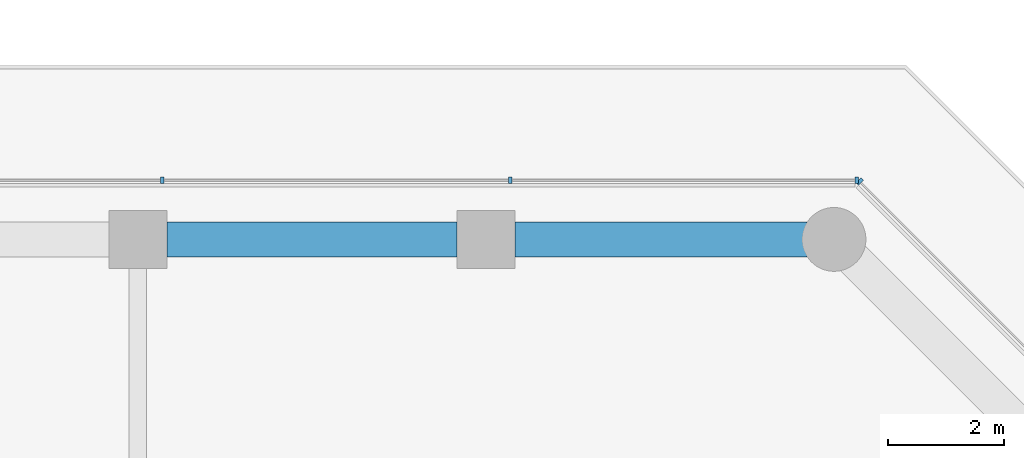
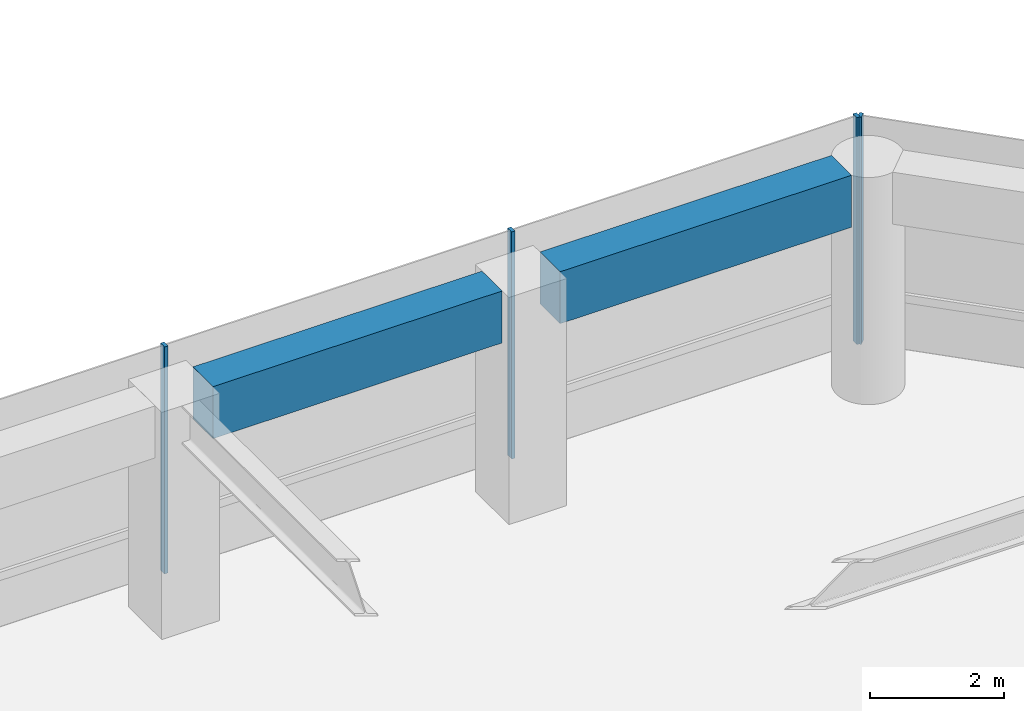
# One storey, part 10 of 24: 4 members, 2 beams, 2 elements without a shape of their own.
"""IFC4 building model written with IfcOpenShell, lengths in metres."""

from ifc_helpers import new_model, si_unit, direction, frame, origin, origin_2d, place, context, subcontext, project, spatial, rectangle, extrude, material, layer, layer_set, material_profile, profile_set, type_object, element, aggregate, save


model = new_model("IFC4")

# Units and contexts
model_context = context("Model", 3, precision=1e-05, world=origin(), true_north=direction((0.0, 1.0)))
body_context = subcontext(model_context, "Body", "Model", "MODEL_VIEW")
ifc_project = project(units=[si_unit("LENGTHUNIT", "METRE"), si_unit("AREAUNIT", "SQUARE_METRE"), si_unit("VOLUMEUNIT", "CUBIC_METRE"), si_unit("PLANEANGLEUNIT", "RADIAN"), si_unit("MASSUNIT", "GRAM", prefix="KILO")], contexts=[model_context])

# Site, building, storey
site_placement = place(None, origin())
site = spatial("IfcSite", under=ifc_project, at=site_placement, CompositionType="ELEMENT")
building_placement = place(site_placement, origin())
building = spatial("IfcBuilding", under=site, at=building_placement, Name="Welwitschia Terrace Campus", CompositionType="ELEMENT")
storey_placement = place(building_placement, frame((0.0, 0.0, 15.5)))
storey = spatial("IfcBuildingStorey", under=building, at=storey_placement, Name="L03", CompositionType="ELEMENT", Elevation=15.5)

# Curtain wall, member
ifc_material_1 = material(Name="Bronze anodised aluminium", Category="aluminium")
ifc_layer = layer(ifc_material_1, 0.1201171875)
ifc_layer_set = layer_set([ifc_layer], Name="Bronze anodised aluminium")
curtain_wall_type = type_object("IfcCurtainWallType", Name="Curtain wall CW2 tower 6000", PredefinedType="NOTDEFINED", material=ifc_layer_set)
curtain_wall_1_placement = place(storey_placement, origin())
curtain_wall_1 = element("IfcCurtainWall", 1, at=curtain_wall_1_placement, inside=storey, type_object=curtain_wall_type, Name="CW L03.4.0", PredefinedType="NOTDEFINED")
ifc_material_2 = material(Name="Bronze anodised aluminium", Category="aluminium")
ifc_material_profile_1 = material_profile(ifc_material_2, rectangle(XDim=0.1201171875, YDim=0.06005859375, at=origin_2d()))
ifc_profile_set_1 = profile_set([ifc_material_profile_1], Name="Bronze anodised aluminium")
member_type = type_object("IfcMemberType", Name="Mullion 60x120", PredefinedType="MULLION", material=ifc_profile_set_1)
member_1_placement = place(storey_placement, frame((60.443603515625, 20.998779296875, 0.0), z_axis=(0.0, 0.0, 1.0), x_axis=(-0.707106781187, -0.707106781187, 0.0)))
member_1 = element("IfcMember", 2, at=member_1_placement, type_object=member_type, Name="Mullion L03.4.0.2", PredefinedType="MULLION", context=body_context, shape_type="SweptSolid", body=[
    extrude(rectangle(XDim=0.1201171875, YDim=0.06005859375, at=origin_2d()), origin(), (0.0, 0.0, 1.0), 4.14990234375),
])
aggregate(curtain_wall_1, [member_1])

# Curtain wall, members
curtain_wall_2_placement = place(storey_placement, origin())
curtain_wall_2 = element("IfcCurtainWall", 3, at=curtain_wall_2_placement, inside=storey, type_object=curtain_wall_type, Name="CW L03.5.0", PredefinedType="NOTDEFINED")
member_2_placement = place(storey_placement, frame((60.392578125, 21.02001953125, 0.0), z_axis=(0.0, 0.0, 1.0), x_axis=(0.0, -1.0, 0.0)))
member_2 = element("IfcMember", 4, at=member_2_placement, type_object=member_type, Name="Mullion L03.5.0.0", PredefinedType="MULLION", context=body_context, shape_type="SweptSolid", body=[
    extrude(rectangle(XDim=0.1201171875, YDim=0.06005859375, at=origin_2d()), origin(), (0.0, 0.0, 1.0), 4.14990234375),
])
member_3_placement = place(storey_placement, frame((54.422607421875, 21.02001953125, 0.0), z_axis=(0.0, 0.0, 1.0), x_axis=(0.0, -1.0, 0.0)))
member_3 = element("IfcMember", 5, at=member_3_placement, type_object=member_type, Name="Mullion L03.5.0.1", PredefinedType="MULLION", context=body_context, shape_type="SweptSolid", body=[
    extrude(rectangle(XDim=0.1201171875, YDim=0.06005859375, at=origin_2d()), origin(), (0.0, 0.0, 1.0), 4.14990234375),
])
member_4_placement = place(storey_placement, frame((48.422607421875, 21.02001953125, 0.0), z_axis=(0.0, 0.0, 1.0), x_axis=(0.0, -1.0, 0.0)))
member_4 = element("IfcMember", 6, at=member_4_placement, type_object=member_type, Name="Mullion L03.5.0.2", PredefinedType="MULLION", context=body_context, shape_type="SweptSolid", body=[
    extrude(rectangle(XDim=0.1201171875, YDim=0.06005859375, at=origin_2d()), origin(), (0.0, 0.0, 1.0), 4.14990234375),
])
aggregate(curtain_wall_2, [member_2, member_3, member_4])

# Beams
ifc_material_3 = material(Name="Concrete C60/75", Category="concrete")
ifc_material_profile_2 = material_profile(ifc_material_3, rectangle(XDim=0.60009765625, YDim=0.949951171875, at=origin_2d()))
ifc_profile_set_2 = profile_set([ifc_material_profile_2], Name="Concrete C60/75")
beam_type = type_object("IfcBeamType", Name="Ring spandrel 600x950", PredefinedType="SPANDREL", material=ifc_profile_set_2)
beam_1_placement = place(storey_placement, frame((59.53857421875, 20.0, 3.675048828125), z_axis=(-1.0, 0.0, 0.0), x_axis=(0.0, -1.0, 0.0)))
element("IfcBeam", 7, at=beam_1_placement, inside=storey, type_object=beam_type, Name="Spandrel SP1", PredefinedType="SPANDREL", context=body_context, shape_type="SweptSolid", body=[
    extrude(rectangle(XDim=0.60009765625, YDim=0.949951171875, at=origin_2d()), origin(), (0.0, 0.0, 1.0), 5.0380859375),
])
beam_2_placement = place(storey_placement, frame((53.49951171875, 20.0, 3.675048828125), z_axis=(-1.0, 0.0, 0.0), x_axis=(0.0, -1.0, 0.0)))
element("IfcBeam", 8, at=beam_2_placement, inside=storey, type_object=beam_type, Name="Spandrel SP1", PredefinedType="SPANDREL", context=body_context, shape_type="SweptSolid", body=[
    extrude(rectangle(XDim=0.60009765625, YDim=0.949951171875, at=origin_2d()), origin(), (0.0, 0.0, 1.0), 4.9990234375),
])

save(model, "model.ifc")
